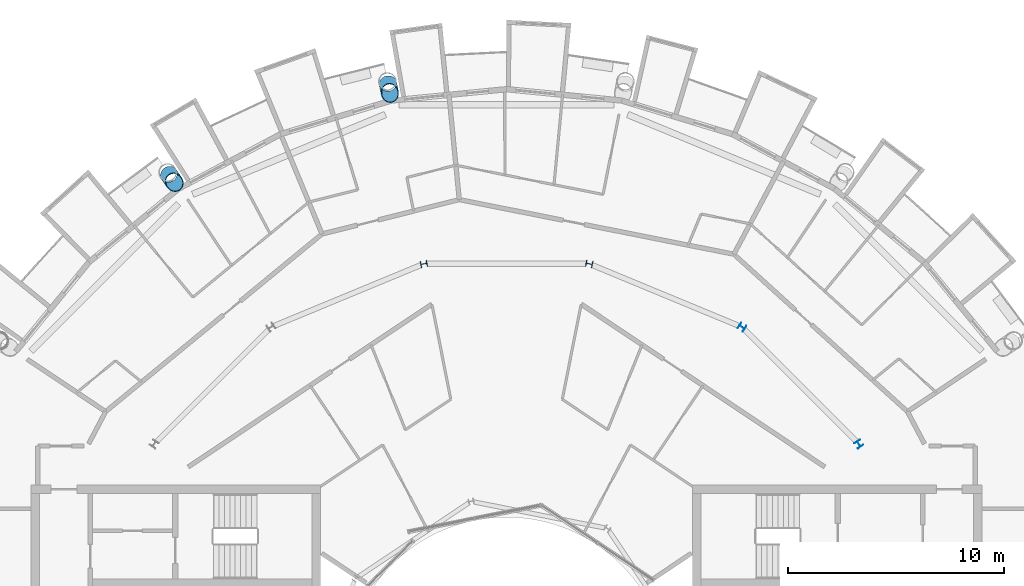
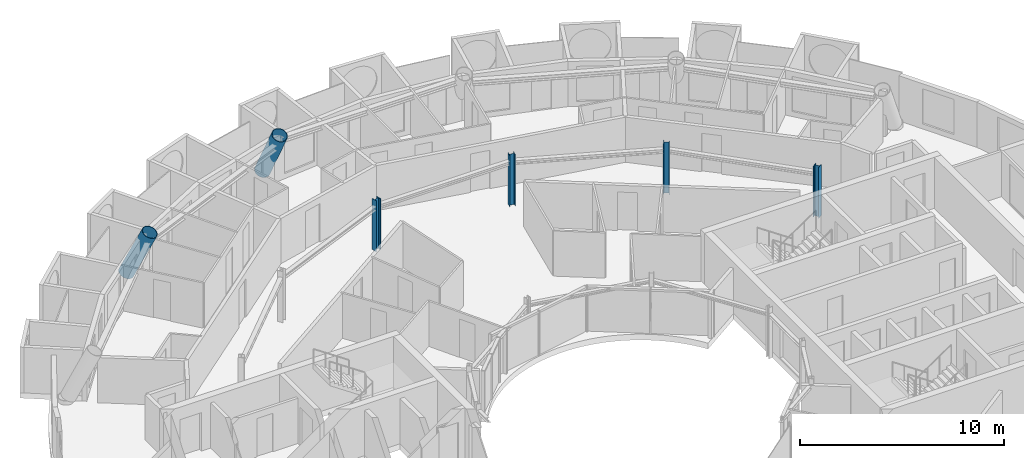
# One storey, part 5 of 28: 6 columns.
"""IFC4 building model written with IfcOpenShell, lengths in metres."""

from ifc_helpers import new_model, si_unit, direction, frame, origin, origin_2d, place, context, subcontext, project, spatial, hollow_circle, i_section, extrude, material, material_profile, profile_set, type_object, element, save


model = new_model("IFC4")

# Units and contexts
model_context = context("Model", 3, precision=1e-05, world=origin(), true_north=direction((0.0, 1.0)))
body_context = subcontext(model_context, "Body", "Model", "MODEL_VIEW")
ifc_project = project(units=[si_unit("LENGTHUNIT", "METRE"), si_unit("AREAUNIT", "SQUARE_METRE"), si_unit("VOLUMEUNIT", "CUBIC_METRE"), si_unit("PLANEANGLEUNIT", "RADIAN"), si_unit("MASSUNIT", "GRAM", prefix="KILO")], contexts=[model_context])

# Site, building, storey
site_placement = place(None, origin())
site = spatial("IfcSite", under=ifc_project, at=site_placement, CompositionType="ELEMENT")
building_placement = place(site_placement, origin())
building = spatial("IfcBuilding", under=site, at=building_placement, Name="Maasbend Ring Residences", CompositionType="ELEMENT")
storey_placement = place(building_placement, frame((0.0, 0.0, 231.0)))
storey = spatial("IfcBuildingStorey", under=building, at=storey_placement, Name="L66", CompositionType="ELEMENT", Elevation=231.0)

# Columns
ifc_material_1 = material(Name="Composite concrete-filled steel tube S460NH / C80/95", Category="concrete")
ifc_material_profile_1 = material_profile(ifc_material_1, hollow_circle(Radius=0.406494140625, WallThickness=0.030029296875, at=origin_2d()), Name="Composite tube column CHS 813x30")
ifc_profile_set_1 = profile_set([ifc_material_profile_1], Name="Composite concrete-filled steel tube S460NH / C80/95")
column_type_1 = type_object("IfcColumnType", Name="Composite tube column CHS 813x30", PredefinedType="COLUMN", material=ifc_profile_set_1)
column_1_placement = place(storey_placement, frame((-5.479736328125, 27.54931640625, 0.24169921875), z_axis=(0.081298824586, -0.40918038147, 0.908824469598), x_axis=(0.9808275518, 0.194877688898, 0.0)))
element("IfcColumn", 1, at=column_1_placement, inside=storey, type_object=column_type_1, Name="Outer column R5", PredefinedType="COLUMN", context=body_context, shape_type="SweptSolid", body=[
    extrude(hollow_circle(Radius=0.406494140625, WallThickness=0.030029296875, at=origin_2d()), origin(), (0.0, 0.0, 1.0), 3.090087890625),
])
column_2_placement = place(storey_placement, frame((-15.60546875, 23.35498046875, 0.24169921875), z_axis=(0.231740204333, -0.34678068763, 0.908867224837), x_axis=(0.831437761556, 0.555617898073, 0.0)))
element("IfcColumn", 2, at=column_2_placement, inside=storey, type_object=column_type_1, Name="Outer column R6", PredefinedType="COLUMN", context=body_context, shape_type="SweptSolid", body=[
    extrude(hollow_circle(Radius=0.406494140625, WallThickness=0.030029296875, at=origin_2d()), origin(), (0.0, 0.0, 1.0), 3.08984375),
])
ifc_material_2 = material(Name="Steel S355J2", Category="steel")
ifc_material_profile_2 = material_profile(ifc_material_2, i_section(OverallWidth=0.300048828125, OverallDepth=0.300048828125, WebThickness=0.010986328125, FlangeThickness=0.01904296875, FilletRadius=0.027099609375, at=origin_2d()), Name="HEB 300")
ifc_profile_set_2 = profile_set([ifc_material_profile_2], Name="Steel S355J2")
column_type_2 = type_object("IfcColumnType", Name="Steel column HEB 300", PredefinedType="COLUMN", material=ifc_profile_set_2)
for number, where, z_axis, x_axis, name in (
    (3, (16.296875, 10.88916015625, 0.0), (0.0, 0.0, 1.0), (0.831469612303, 0.55557023302, 0.0), "Corridor ring column R2"),
    (4, (10.88916015625, 16.296875, 0.0), (0.0, 0.0, 1.0), (0.55557023302, 0.831469612303, 0.0), "Corridor ring column R3"),
    (5, (3.82373046875, 19.223388671875, 0.0), (0.0, 0.0, 1.0), (0.195090322016, 0.980785280403, 0.0), "Corridor ring column R4"),
    (6, (-3.82373046875, 19.223388671875, 0.0), (0.0, 0.0, 1.0), (-0.195090322016, 0.980785280403, 0.0), "Corridor ring column R5"),
):
    element("IfcColumn", number, at=place(storey_placement, frame(where, z_axis=z_axis, x_axis=x_axis)), inside=storey, type_object=column_type_2, Name=name, PredefinedType="COLUMN", context=body_context, shape_type="SweptSolid", body=[
        extrude(i_section(OverallWidth=0.300048828125, OverallDepth=0.300048828125, WebThickness=0.010986328125, FlangeThickness=0.01904296875, FilletRadius=0.027099609375, at=origin_2d()), origin(), (0.0, 0.0, 1.0), 3.050048828125),
    ])

save(model, "model.ifc")
